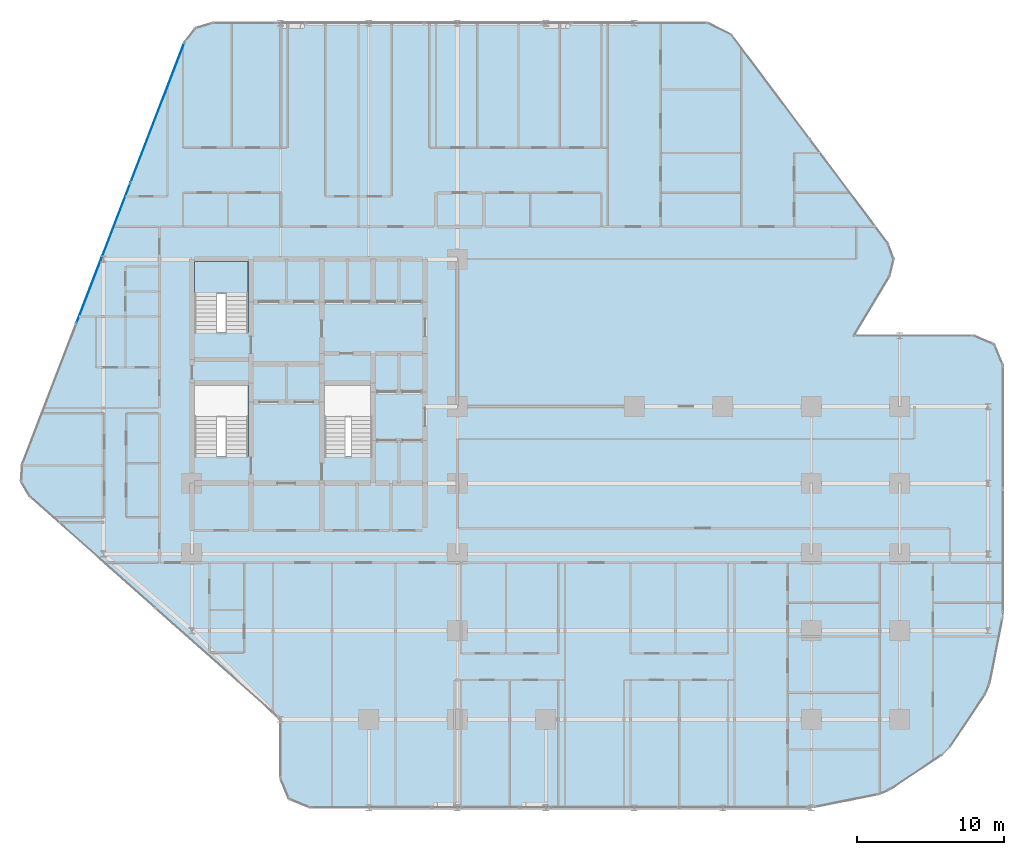
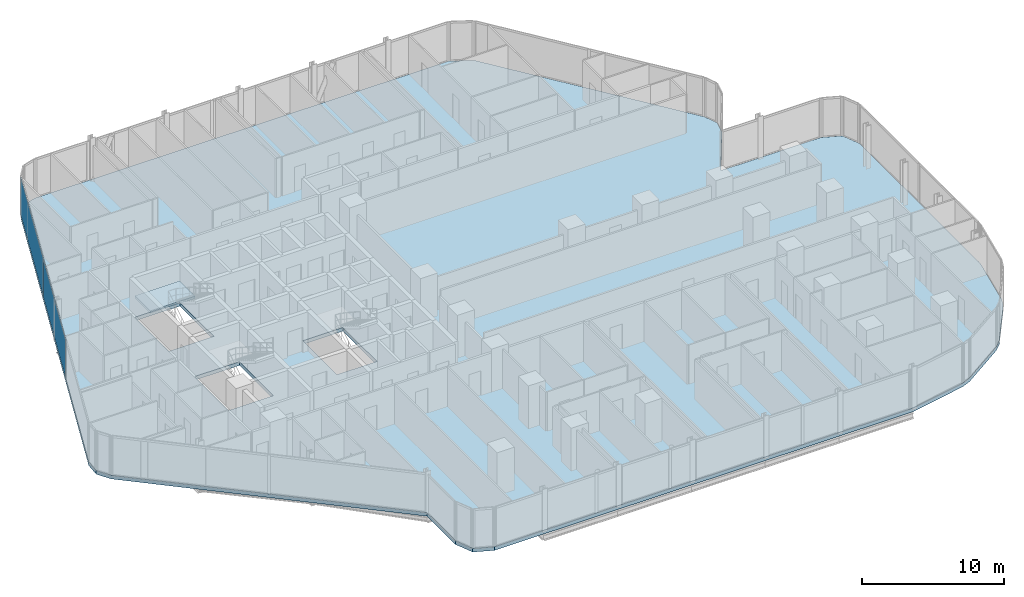
# One storey, part 23 of 33: 2 plates, 2 slabs, 2 elements without a shape of their own.
"""IFC4 building model written with IfcOpenShell, lengths in metres."""

import ifcopenshell
import ifcopenshell.guid

model = None  # the IFC model being written
_history = None  # IfcOwnerHistory: only IFC2X3 demands one
_inside = {}  # id of a spatial element -> (the spatial element, [elements in it])
_under = {}  # id of a project, library or spatial element -> (it, [spatial elements below it])
_declared = {}  # id of a project -> (the project, [libraries it declares])
_typed = {}  # id of a type object -> (the type object, [elements of that type])
_made_of = {}  # id of a material, layer set ... -> (it, [elements and type objects made of it])


def new_model(schema):
    """Start an empty IFC model of exactly this schema.

    Asked for "IFC4X3", IfcOpenShell would pick the latest addendum, in which some entities
    have other attributes; the version numbers below select the first issue.
    IFC2X3 requires an IfcOwnerHistory on every rooted entity: one is made here for all.
    """
    global model, _history
    if schema == "IFC4X3":
        model = ifcopenshell.file(schema_version=(4, 3, 0, 0))
    else:
        model = ifcopenshell.file(schema=schema)
    _inside.clear()
    _under.clear()
    _declared.clear()
    _typed.clear()
    _made_of.clear()
    _history = None
    if model.schema == "IFC2X3":
        org = make("IfcOrganization", Name="unknown")
        user = make(
            "IfcPersonAndOrganization",
            ThePerson=make("IfcPerson", FamilyName="unknown"),
            TheOrganization=org,
        )
        app = make(
            "IfcApplication",
            ApplicationDeveloper=org,
            Version="unknown",
            ApplicationFullName="unknown",
            ApplicationIdentifier="unknown",
        )
        _history = make(
            "IfcOwnerHistory",
            OwningUser=user,
            OwningApplication=app,
            ChangeAction="ADDED",
            CreationDate=0,
        )
    return model


def make(cls, **values):
    """One entity of the class cls with the attributes given. An attribute that is None is left unset."""
    return model.create_entity(
        cls, **{name: value for name, value in values.items() if value is not None}
    )


def rooted(cls, **values):
    """An entity with a GlobalId (a new one), such as an element, a storey or a relation."""
    return make(cls, GlobalId=ifcopenshell.guid.new(), OwnerHistory=_history, **values)


def si_unit(unit_type, name, prefix=None):
    """IfcSIUnit, for example si_unit("LENGTHUNIT", "METRE", prefix="MILLI")."""
    return make("IfcSIUnit", UnitType=unit_type, Prefix=prefix, Name=name)


def assignment(units):
    """IfcUnitAssignment: the units of a project."""
    return None if units is None else make("IfcUnitAssignment", Units=units)


def point(xyz):
    """IfcCartesianPoint."""
    return None if xyz is None else make("IfcCartesianPoint", Coordinates=xyz)


def direction(xyz):
    """IfcDirection."""
    return None if xyz is None else make("IfcDirection", DirectionRatios=xyz)


def frame(location, z_axis=None, x_axis=None):
    """IfcAxis2Placement3D, a coordinate frame: its origin and axes. An axis left out is left unset."""
    return make(
        "IfcAxis2Placement3D",
        Location=point(location),
        Axis=direction(z_axis),
        RefDirection=direction(x_axis),
    )


def frame_2d(location, x_axis=None):
    """IfcAxis2Placement2D, a coordinate frame in the plane: its origin and x axis."""
    return make(
        "IfcAxis2Placement2D", Location=point(location), RefDirection=direction(x_axis)
    )


def origin():
    """The frame at (0, 0, 0) with its axes left unset."""
    return frame((0.0, 0.0, 0.0))


def origin_2d():
    """The frame at (0, 0) in the plane with its x axis left unset."""
    return frame_2d((0.0, 0.0))


def place(relative_to, where):
    """IfcLocalPlacement: puts the frame where relative to a parent placement (None: the world)."""
    return make(
        "IfcLocalPlacement", PlacementRelTo=relative_to, RelativePlacement=where
    )


def context(
    kind, dimensions, precision=None, world=None, true_north=None, identifier=None
):
    """IfcGeometricRepresentationContext, for example the 3D "Model" context."""
    return make(
        "IfcGeometricRepresentationContext",
        ContextIdentifier=identifier,
        ContextType=kind,
        CoordinateSpaceDimension=dimensions,
        Precision=precision,
        WorldCoordinateSystem=world,
        TrueNorth=true_north,
    )


def subcontext(parent, identifier, kind, view, scale=None):
    """IfcGeometricRepresentationSubContext, for example "Body" below "Model"."""
    return make(
        "IfcGeometricRepresentationSubContext",
        ContextIdentifier=identifier,
        ContextType=kind,
        ParentContext=parent,
        TargetScale=scale,
        TargetView=view,
    )


def project(units=None, contexts=None):
    """IfcProject with its units and contexts."""
    return rooted(
        "IfcProject",
        Name="project",
        RepresentationContexts=contexts,
        UnitsInContext=assignment(units),
    )


def spatial(cls, under=None, at=None, **own):
    """A site, building, storey or space (cls), placed at a placement, below another one or the project."""
    s = rooted(cls, ObjectPlacement=at, **own)
    if under is not None:
        _under.setdefault(under.id(), (under, []))[1].append(s)
    return s


def polyline(points):
    """IfcPolyline through the points."""
    return make("IfcPolyline", Points=[point(p) for p in points])


def profile(cls, at=None, kind="AREA", **sizes):
    """A parametric profile (cls). Its sizes go by their IFC names, for example OverallWidth=200.0."""
    return make(cls, ProfileType=kind, Position=at, **sizes)


def rectangle(**sizes):
    """IfcRectangleProfileDef."""
    return profile("IfcRectangleProfileDef", **sizes)


def outline(outer, holes=None, kind="AREA"):
    """IfcArbitraryClosedProfileDef: a profile drawn as a closed curve; with holes, ...WithVoids."""
    if holes is None:
        return make("IfcArbitraryClosedProfileDef", ProfileType=kind, OuterCurve=outer)
    return make(
        "IfcArbitraryProfileDefWithVoids",
        ProfileType=kind,
        OuterCurve=outer,
        InnerCurves=holes,
    )


def extrude(swept, where, along, depth):
    """IfcExtrudedAreaSolid: the profile swept, set in the frame where, extruded along a direction by depth."""
    return make(
        "IfcExtrudedAreaSolid",
        SweptArea=swept,
        Position=where,
        ExtrudedDirection=direction(along),
        Depth=depth,
    )


def shape(context_of_items, identifier, shape_type, items):
    """IfcShapeRepresentation: the items that make up one representation, for example the "Body"."""
    return make(
        "IfcShapeRepresentation",
        ContextOfItems=context_of_items,
        RepresentationIdentifier=identifier,
        RepresentationType=shape_type,
        Items=items,
    )


def material(Name=None, Category=None):
    """IfcMaterial."""
    return make("IfcMaterial", Name=Name, Category=Category)


def layer(
    of_material, thickness, ventilated=None, Name=None, Category=None, Priority=None
):
    """IfcMaterialLayer: one layer of a wall or slab, of a material (None: an air gap)."""
    return make(
        "IfcMaterialLayer",
        Material=of_material,
        LayerThickness=thickness,
        IsVentilated=ventilated,
        Name=Name,
        Category=Category,
        Priority=Priority,
    )


def layer_set(layers, Name=None):
    """IfcMaterialLayerSet."""
    return make("IfcMaterialLayerSet", MaterialLayers=layers, LayerSetName=Name)


def made_of(thing, what):
    """Note that an element or type object is made of a material, layer set ...; save() writes the relation."""
    if what is not None:
        _made_of.setdefault(what.id(), (what, []))[1].append(thing)
    return thing


def type_object(cls, material=None, **own):
    """A type object (cls), such as IfcWallType, which elements share."""
    return made_of(rooted(cls, **own), material)


def element(
    cls,
    number,
    at=None,
    inside=None,
    cuts=None,
    type_object=None,
    material=None,
    context=None,
    identifier="Body",
    shape_type=None,
    held_by="IfcProductDefinitionShape",
    body=None,
    shapes=None,
    **own,
):
    """One element of the class cls, such as IfcWall. Its Tag is "e" and its number.

    at: its placement. inside: the storey or other place that contains it. cuts: it is an
    opening in that element (IfcRelVoidsElement). A single representation is given by context,
    identifier, shape_type and body (its items); several are given by shapes. held_by: the class
    of the entity that holds the representations. save() writes the other relations.
    """
    e = rooted(cls, Tag="e%d" % number, ObjectPlacement=at, **own)
    if body is not None:
        shapes = [shape(context, identifier, shape_type, body)]
    if shapes is not None:
        e.Representation = make(held_by, Representations=shapes)
    if inside is not None:
        _inside.setdefault(inside.id(), (inside, []))[1].append(e)
    if cuts is not None:
        rooted(
            "IfcRelVoidsElement", RelatingBuildingElement=cuts, RelatedOpeningElement=e
        )
    if type_object is not None:
        _typed.setdefault(type_object.id(), (type_object, []))[1].append(e)
    return made_of(e, material)


def aggregate(whole, parts):
    """IfcRelAggregates: a whole, such as a stair, and the parts it consists of."""
    return rooted("IfcRelAggregates", RelatingObject=whole, RelatedObjects=parts)


def save(model, path):
    """Write the relations noted so far, then the file.

    IfcRelAggregates (storeys below a building ...), IfcRelContainedInSpatialStructure (elements
    in a storey), IfcRelDefinesByType, IfcRelAssociatesMaterial and IfcRelDeclares: one each for
    every whole, place, type object, material and project.
    """
    for whole, parts in _under.values():
        aggregate(whole, parts)
    for where, things in _inside.values():
        rooted(
            "IfcRelContainedInSpatialStructure",
            RelatedElements=things,
            RelatingStructure=where,
        )
    for kind, things in _typed.values():
        rooted("IfcRelDefinesByType", RelatedObjects=things, RelatingType=kind)
    for what, things in _made_of.values():
        rooted("IfcRelAssociatesMaterial", RelatedObjects=things, RelatingMaterial=what)
    for by, libraries in _declared.values():
        rooted("IfcRelDeclares", RelatingContext=by, RelatedDefinitions=libraries)
    model.write(path)


model = new_model("IFC4")

# Units and contexts
model_context = context("Model", 3, precision=1e-05, world=origin(), true_north=direction((0.0, 1.0)))
body_context = subcontext(model_context, "Body", "Model", "MODEL_VIEW")
ifc_project = project(units=[si_unit("LENGTHUNIT", "METRE"), si_unit("AREAUNIT", "SQUARE_METRE"), si_unit("VOLUMEUNIT", "CUBIC_METRE"), si_unit("PLANEANGLEUNIT", "RADIAN"), si_unit("MASSUNIT", "GRAM", prefix="KILO")], contexts=[model_context])

# Site, building, storey
site_placement = place(None, origin())
site = spatial("IfcSite", under=ifc_project, at=site_placement, CompositionType="ELEMENT")
building_placement = place(site_placement, origin())
building = spatial("IfcBuilding", under=site, at=building_placement, Name="Keshet Zoharim Tower", CompositionType="ELEMENT")
storey_placement = place(building_placement, frame((0.0, 0.0, 49.89990234375)))
storey = spatial("IfcBuildingStorey", under=building, at=storey_placement, Name="L11", CompositionType="ELEMENT", Elevation=49.89990234375)

# Curtain wall, plates
ifc_material_1 = material(Name="Aluminium 6063-T6", Category="aluminium")
ifc_layer_1 = layer(ifc_material_1, 0.179931640625)
ifc_layer_set_1 = layer_set([ifc_layer_1], Name="Aluminium 6063-T6")
curtain_wall_type = type_object("IfcCurtainWallType", Name="CW-SYS-01", PredefinedType="NOTDEFINED", material=ifc_layer_set_1)
curtain_wall_placement = place(storey_placement, origin())
curtain_wall = element("IfcCurtainWall", 1, at=curtain_wall_placement, inside=storey, type_object=curtain_wall_type, Name="L11 Unitised Curtain Wall 04", PredefinedType="NOTDEFINED")
ifc_material_2 = material(Name="Insulated Low-E Clear Glass", Category="glass")
ifc_layer_2 = layer(ifc_material_2, 0.035888671875)
ifc_layer_set_2 = layer_set([ifc_layer_2], Name="Insulated Low-E Clear Glass")
plate_type = type_object("IfcPlateType", Name="CWP-01", PredefinedType="CURTAIN_PANEL", material=ifc_layer_set_2)
plate_1_placement = place(storey_placement, frame((9.001953125, 38.305419921875, 0.070068359375), z_axis=(0.0, 0.0, 1.0), x_axis=(0.358990003907, 0.933341404361, 0.0)))
plate_1 = element("IfcPlate", 2, at=plate_1_placement, type_object=plate_type, Name="CW-01 panel 2.1", PredefinedType="CURTAIN_PANEL", context=body_context, shape_type="SweptSolid", body=[
    extrude(rectangle(XDim=10.153076171875, YDim=0.035888671875, at=origin_2d()), origin(), (0.0, 0.0, 1.0), 3.2451171875),
])
plate_2_placement = place(storey_placement, frame((12.665771484375, 47.830810546875, 0.070068359375), z_axis=(0.0, 0.0, 1.0), x_axis=(0.358990003907, 0.933341404361, 0.0)))
plate_2 = element("IfcPlate", 3, at=plate_2_placement, type_object=plate_type, Name="CW-01 panel 3.1", PredefinedType="CURTAIN_PANEL", context=body_context, shape_type="SweptSolid", body=[
    extrude(rectangle(XDim=10.1181640625, YDim=0.035888671875, at=origin_2d()), origin(), (0.0, 0.0, 1.0), 3.2451171875),
])
aggregate(curtain_wall, [plate_1, plate_2])

# Stair, slab
ifc_material_3 = material(Name="Concrete C50/60", Category="concrete")
stair_type = type_object("IfcStairType", Name="STR-EXIT-135", PredefinedType="HALF_TURN_STAIR", material=ifc_material_3)
stair_placement = place(storey_placement, origin())
stair = element("IfcStair", 4, at=stair_placement, inside=storey, type_object=stair_type, Name="L11 Enclosed Exit Stair ST-02", PredefinedType="HALF_TURN_STAIR")
ifc_layer_3 = layer(ifc_material_3, 0.199951171875)
ifc_layer_set_3 = layer_set([ifc_layer_3], Name="Concrete C50/60")
slab_type_1 = type_object("IfcSlabType", Name="SLB-LND-200", PredefinedType="LANDING", material=ifc_layer_set_3)
slab_1_placement = place(storey_placement, frame((0.0, 0.0, 1.650146484375)))
slab_1 = element("IfcSlab", 5, at=slab_1_placement, type_object=slab_type_1, Name="ST-02 landing 1", PredefinedType="LANDING", context=body_context, shape_type="SweptSolid", body=[
    extrude(outline(polyline([(15.179931640625, 35.56005859375), (18.820068359375, 35.56005859375), (18.820068359375, 37.719970703125), (15.179931640625, 37.719970703125), (15.179931640625, 35.56005859375)])), origin(), (0.0, 0.0, 1.0), 0.199951171875),
])
aggregate(stair, [slab_1])

# Slab
ifc_layer_4 = layer(ifc_material_3, 0.31494140625)
ifc_layer_set_4 = layer_set([ifc_layer_4], Name="Concrete C50/60")
slab_type_2 = type_object("IfcSlabType", Name="SLB-LOW-260", PredefinedType="FLOOR", material=ifc_layer_set_4)
slab_2_placement = place(storey_placement, frame((0.0, 0.0, -0.31494140625)))
element("IfcSlab", 6, at=slab_2_placement, inside=storey, type_object=slab_type_2, Name="L11 Structural Floor Slab 1", PredefinedType="FLOOR", context=body_context, shape_type="SweptSolid", body=[
    extrude(outline(polyline([(21.0, 6.699951171875), (4.034912109375, 21.780029296875), (3.419921875, 22.802001953125), (3.4970703125, 23.992919921875), (14.507080078125, 52.617919921875), (15.240966796875, 53.549072265625), (16.3740234375, 53.89990234375), (50.0, 53.89990234375), (51.60009765625, 53.10009765625), (62.193115234375, 38.97607421875), (62.590087890625, 37.87890625), (62.30810546875, 36.7470703125), (59.8798828125, 32.699951171875), (68.0, 32.699951171875), (69.4140625, 32.114013671875), (70.0, 30.699951171875), (70.0, 13.89697265625), (69.9619140625, 13.507080078125), (69.087890625, 9.114990234375), (68.7890625, 8.39404296875), (66.4130859375, 4.837890625), (65.862060546875, 4.287109375), (62.305908203125, 1.910888671875), (61.5849609375, 1.612060546875), (57.193115234375, 0.738037109375), (56.802978515625, 0.699951171875), (23.0, 0.699951171875), (21.5859375, 1.285888671875), (21.0, 2.699951171875), (21.0, 6.699951171875)]), holes=[polyline([(15.179931640625, 24.52001953125), (18.820068359375, 24.52001953125), (18.820068359375, 29.320068359375), (15.179931640625, 29.320068359375), (15.179931640625, 24.52001953125)]), polyline([(15.179931640625, 32.919921875), (18.820068359375, 32.919921875), (18.820068359375, 37.719970703125), (15.179931640625, 37.719970703125), (15.179931640625, 32.919921875)]), polyline([(23.97998046875, 24.52001953125), (27.219970703125, 24.52001953125), (27.219970703125, 29.320068359375), (23.97998046875, 29.320068359375), (23.97998046875, 24.52001953125)])]), origin(), (0.0, 0.0, 1.0), 0.31494140625),
])

save(model, "model.ifc")
